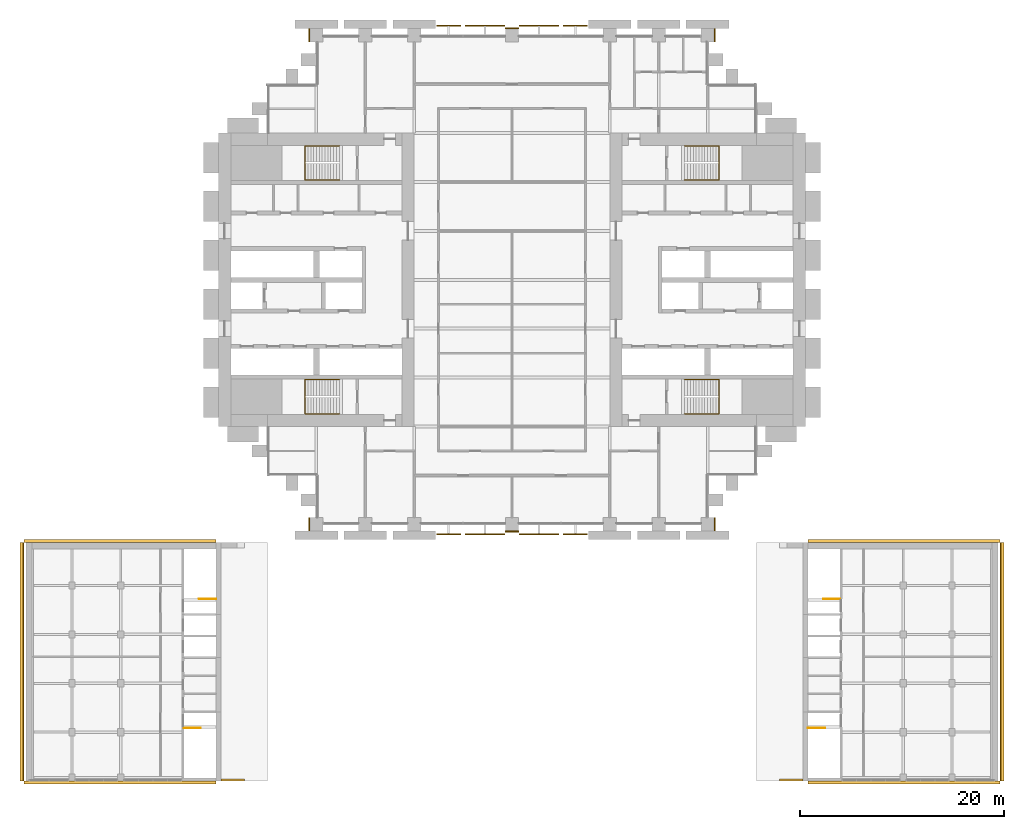
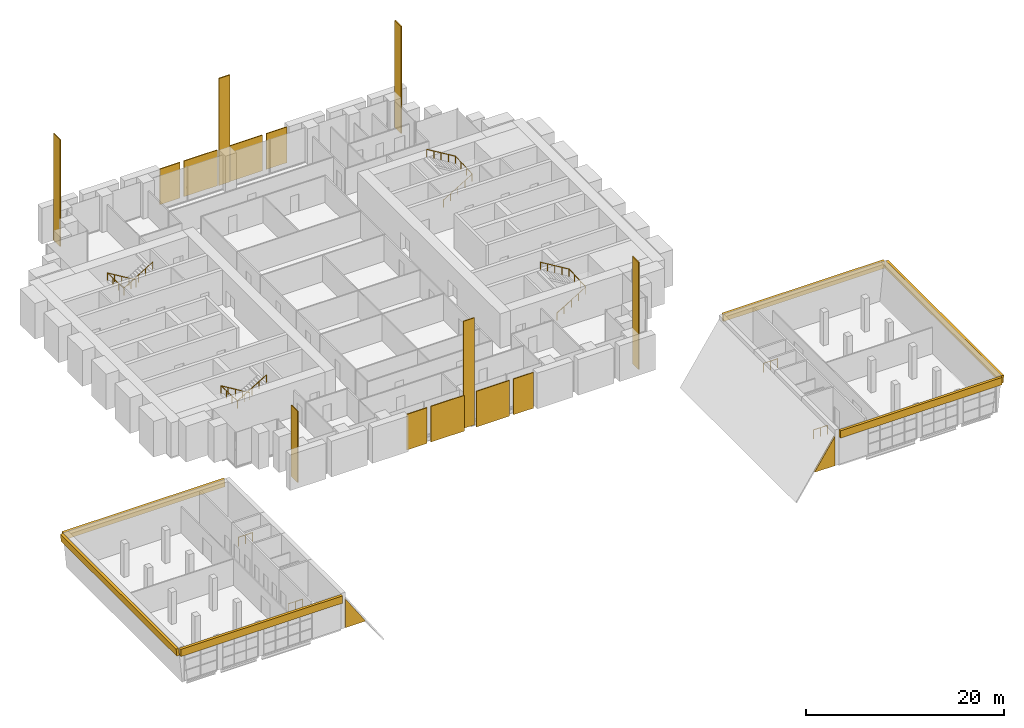
# One storey, part 22 of 22: 22 coverings, 8 railings.
"""IFC4 building model written with IfcOpenShell, lengths in metres."""

from ifc_helpers import new_model, si_unit, direction, frame, origin, origin_2d, place, context, subcontext, project, spatial, polyline, rectangle, circle, outline, extrude, material, layer, layer_set, type_object, element, save


model = new_model("IFC4")

# Units and contexts
model_context = context("Model", 3, precision=1e-05, world=origin(), true_north=direction((0.0, 1.0)))
body_context = subcontext(model_context, "Body", "Model", "MODEL_VIEW")
ifc_project = project(units=[si_unit("LENGTHUNIT", "METRE"), si_unit("AREAUNIT", "SQUARE_METRE"), si_unit("VOLUMEUNIT", "CUBIC_METRE"), si_unit("PLANEANGLEUNIT", "RADIAN"), si_unit("MASSUNIT", "GRAM", prefix="KILO")], contexts=[model_context])

# Site, building, storey
site_placement = place(None, origin())
site = spatial("IfcSite", under=ifc_project, at=site_placement, CompositionType="ELEMENT")
building_placement = place(site_placement, origin())
building = spatial("IfcBuilding", under=site, at=building_placement, Name="Baori Bourse Tower", CompositionType="ELEMENT")
storey_placement = place(building_placement, frame((0.0, 0.0, 25.800048828125)))
storey = spatial("IfcBuildingStorey", under=building, at=storey_placement, Name="L04", CompositionType="ELEMENT", Elevation=25.800048828125)

# Railings
ifc_material_1 = material(Name="Powder-coated steel balustrade", Category="steel")
railing_type_1 = type_object("IfcRailingType", Name="Core stair handrail", PredefinedType="HANDRAIL", material=ifc_material_1)
railing_1_placement = place(storey_placement, frame((11.85009765625, 14.199951171875, 0.169189453125)))
element("IfcRailing", 1, at=railing_1_placement, inside=storey, type_object=railing_type_1, Name="L04 ST1 stair handrail 1", PredefinedType="HANDRAIL", context=body_context, shape_type="SweptSolid", body=[
    extrude(circle(Radius=0.02392578125, at=origin_2d()), frame((0.0, 0.0, 0.8759765625), z_axis=(-0.855836976705, 0.0, 0.517245656632), x_axis=(0.0, -1.0, 0.0)), (0.0, 0.0, 1.0), 3.926025390625),
    extrude(circle(Radius=0.02392578125, at=origin_2d()), frame((-3.360107421875, 0.0, 2.90673828125), z_axis=(0.0, -0.998726980575, 0.050442227064), x_axis=(1.0, 0.0, 0.0)), (0.0, 0.0, 1.0), 3.35400390625),
    extrude(circle(Radius=0.02392578125, at=origin_2d()), frame((-3.360107421875, -3.349853515625, 3.07568359375), z_axis=(0.855836976705, 0.0, 0.517245656632), x_axis=(0.0, 1.0, 0.0)), (0.0, 0.0, 1.0), 3.926025390625),
    extrude(circle(Radius=0.02099609375, at=origin_2d()), origin(), (0.0, 0.0, 1.0), 0.851806640625),
    extrude(circle(Radius=0.02099609375, at=origin_2d()), frame((-0.840087890625, 0.0, 0.5078125)), (0.0, 0.0, 1.0), 0.851806640625),
    extrude(circle(Radius=0.02099609375, at=origin_2d()), frame((-1.68017578125, 0.0, 1.015380859375)), (0.0, 0.0, 1.0), 0.851806640625),
    extrude(circle(Radius=0.02099609375, at=origin_2d()), frame((-2.52001953125, 0.0, 1.52294921875)), (0.0, 0.0, 1.0), 0.851806640625),
    extrude(circle(Radius=0.02099609375, at=origin_2d()), frame((-3.360107421875, 0.0, 2.03076171875)), (0.0, 0.0, 1.0), 0.851806640625),
    extrude(circle(Radius=0.02099609375, at=origin_2d()), frame((-3.360107421875, -1.11669921875, 2.087158203125)), (0.0, 0.0, 1.0), 0.851806640625),
    extrude(circle(Radius=0.02099609375, at=origin_2d()), frame((-3.360107421875, -2.233154296875, 2.1435546875)), (0.0, 0.0, 1.0), 0.851806640625),
    extrude(circle(Radius=0.02099609375, at=origin_2d()), frame((-3.360107421875, -3.349853515625, 2.199951171875)), (0.0, 0.0, 1.0), 0.851806640625),
    extrude(circle(Radius=0.02099609375, at=origin_2d()), frame((-2.52001953125, -3.349853515625, 2.70751953125)), (0.0, 0.0, 1.0), 0.851806640625),
    extrude(circle(Radius=0.02099609375, at=origin_2d()), frame((-1.68017578125, -3.349853515625, 3.21533203125)), (0.0, 0.0, 1.0), 0.851806640625),
    extrude(circle(Radius=0.02099609375, at=origin_2d()), frame((-0.840087890625, -3.349853515625, 3.72314453125)), (0.0, 0.0, 1.0), 0.851806640625),
    extrude(circle(Radius=0.02099609375, at=origin_2d()), frame((0.0, -3.349853515625, 4.230712890625)), (0.0, 0.0, 1.0), 0.851806640625),
])
railing_2_placement = place(storey_placement, frame((11.85009765625, 37.14990234375, 0.169189453125)))
element("IfcRailing", 2, at=railing_2_placement, inside=storey, type_object=railing_type_1, Name="L04 ST2 stair handrail 1", PredefinedType="HANDRAIL", context=body_context, shape_type="SweptSolid", body=[
    extrude(circle(Radius=0.02392578125, at=origin_2d()), frame((0.0, 0.0, 0.8759765625), z_axis=(-0.855836976705, 0.0, 0.517245656632), x_axis=(0.0, -1.0, 0.0)), (0.0, 0.0, 1.0), 3.926025390625),
    extrude(circle(Radius=0.02392578125, at=origin_2d()), frame((-3.360107421875, 0.0, 2.90673828125), z_axis=(0.0, -0.998726980575, 0.050442227064), x_axis=(1.0, 0.0, 0.0)), (0.0, 0.0, 1.0), 3.35400390625),
    extrude(circle(Radius=0.02392578125, at=origin_2d()), frame((-3.360107421875, -3.349853515625, 3.07568359375), z_axis=(0.855836976705, 0.0, 0.517245656632), x_axis=(0.0, 1.0, 0.0)), (0.0, 0.0, 1.0), 3.926025390625),
    extrude(circle(Radius=0.02099609375, at=origin_2d()), origin(), (0.0, 0.0, 1.0), 0.851806640625),
    extrude(circle(Radius=0.02099609375, at=origin_2d()), frame((-0.840087890625, 0.0, 0.5078125)), (0.0, 0.0, 1.0), 0.851806640625),
    extrude(circle(Radius=0.02099609375, at=origin_2d()), frame((-1.68017578125, 0.0, 1.015380859375)), (0.0, 0.0, 1.0), 0.851806640625),
    extrude(circle(Radius=0.02099609375, at=origin_2d()), frame((-2.52001953125, 0.0, 1.52294921875)), (0.0, 0.0, 1.0), 0.851806640625),
    extrude(circle(Radius=0.02099609375, at=origin_2d()), frame((-3.360107421875, 0.0, 2.03076171875)), (0.0, 0.0, 1.0), 0.851806640625),
    extrude(circle(Radius=0.02099609375, at=origin_2d()), frame((-3.360107421875, -1.11669921875, 2.087158203125)), (0.0, 0.0, 1.0), 0.851806640625),
    extrude(circle(Radius=0.02099609375, at=origin_2d()), frame((-3.360107421875, -2.233154296875, 2.1435546875)), (0.0, 0.0, 1.0), 0.851806640625),
    extrude(circle(Radius=0.02099609375, at=origin_2d()), frame((-3.360107421875, -3.349853515625, 2.199951171875)), (0.0, 0.0, 1.0), 0.851806640625),
    extrude(circle(Radius=0.02099609375, at=origin_2d()), frame((-2.52001953125, -3.349853515625, 2.70751953125)), (0.0, 0.0, 1.0), 0.851806640625),
    extrude(circle(Radius=0.02099609375, at=origin_2d()), frame((-1.68017578125, -3.349853515625, 3.21533203125)), (0.0, 0.0, 1.0), 0.851806640625),
    extrude(circle(Radius=0.02099609375, at=origin_2d()), frame((-0.840087890625, -3.349853515625, 3.72314453125)), (0.0, 0.0, 1.0), 0.851806640625),
    extrude(circle(Radius=0.02099609375, at=origin_2d()), frame((0.0, -3.349853515625, 4.230712890625)), (0.0, 0.0, 1.0), 0.851806640625),
])
railing_3_placement = place(storey_placement, frame((45.75, 10.85009765625, 0.169189453125)))
element("IfcRailing", 3, at=railing_3_placement, inside=storey, type_object=railing_type_1, Name="L04 ST3 stair handrail 1", PredefinedType="HANDRAIL", context=body_context, shape_type="SweptSolid", body=[
    extrude(circle(Radius=0.02392578125, at=origin_2d()), frame((0.0, 0.0, 0.8759765625), z_axis=(0.855836976705, 0.0, 0.517245656632), x_axis=(0.0, 1.0, 0.0)), (0.0, 0.0, 1.0), 3.926025390625),
    extrude(circle(Radius=0.02392578125, at=origin_2d()), frame((3.360107421875, 0.0, 2.90673828125), z_axis=(0.0, 0.998726980575, 0.050442227064), x_axis=(-1.0, 0.0, 0.0)), (0.0, 0.0, 1.0), 3.35400390625),
    extrude(circle(Radius=0.02392578125, at=origin_2d()), frame((3.360107421875, 3.349853515625, 3.07568359375), z_axis=(-0.855836976705, 0.0, 0.517245656632), x_axis=(0.0, -1.0, 0.0)), (0.0, 0.0, 1.0), 3.926025390625),
    extrude(circle(Radius=0.02099609375, at=origin_2d()), origin(), (0.0, 0.0, 1.0), 0.851806640625),
    extrude(circle(Radius=0.02099609375, at=origin_2d()), frame((0.840087890625, 0.0, 0.5078125)), (0.0, 0.0, 1.0), 0.851806640625),
    extrude(circle(Radius=0.02099609375, at=origin_2d()), frame((1.68017578125, 0.0, 1.015380859375)), (0.0, 0.0, 1.0), 0.851806640625),
    extrude(circle(Radius=0.02099609375, at=origin_2d()), frame((2.52001953125, 0.0, 1.52294921875)), (0.0, 0.0, 1.0), 0.851806640625),
    extrude(circle(Radius=0.02099609375, at=origin_2d()), frame((3.360107421875, 0.0, 2.03076171875)), (0.0, 0.0, 1.0), 0.851806640625),
    extrude(circle(Radius=0.02099609375, at=origin_2d()), frame((3.360107421875, 1.11669921875, 2.087158203125)), (0.0, 0.0, 1.0), 0.851806640625),
    extrude(circle(Radius=0.02099609375, at=origin_2d()), frame((3.360107421875, 2.233154296875, 2.1435546875)), (0.0, 0.0, 1.0), 0.851806640625),
    extrude(circle(Radius=0.02099609375, at=origin_2d()), frame((3.360107421875, 3.349853515625, 2.199951171875)), (0.0, 0.0, 1.0), 0.851806640625),
    extrude(circle(Radius=0.02099609375, at=origin_2d()), frame((2.52001953125, 3.349853515625, 2.70751953125)), (0.0, 0.0, 1.0), 0.851806640625),
    extrude(circle(Radius=0.02099609375, at=origin_2d()), frame((1.68017578125, 3.349853515625, 3.21533203125)), (0.0, 0.0, 1.0), 0.851806640625),
    extrude(circle(Radius=0.02099609375, at=origin_2d()), frame((0.840087890625, 3.349853515625, 3.72314453125)), (0.0, 0.0, 1.0), 0.851806640625),
    extrude(circle(Radius=0.02099609375, at=origin_2d()), frame((0.0, 3.349853515625, 4.230712890625)), (0.0, 0.0, 1.0), 0.851806640625),
])
railing_4_placement = place(storey_placement, frame((45.75, 33.800048828125, 0.169189453125)))
element("IfcRailing", 4, at=railing_4_placement, inside=storey, type_object=railing_type_1, Name="L04 ST4 stair handrail 1", PredefinedType="HANDRAIL", context=body_context, shape_type="SweptSolid", body=[
    extrude(circle(Radius=0.02392578125, at=origin_2d()), frame((0.0, 0.0, 0.8759765625), z_axis=(0.855836976705, 0.0, 0.517245656632), x_axis=(0.0, 1.0, 0.0)), (0.0, 0.0, 1.0), 3.926025390625),
    extrude(circle(Radius=0.02392578125, at=origin_2d()), frame((3.360107421875, 0.0, 2.90673828125), z_axis=(0.0, 0.998726980575, 0.050442227064), x_axis=(-1.0, 0.0, 0.0)), (0.0, 0.0, 1.0), 3.35400390625),
    extrude(circle(Radius=0.02392578125, at=origin_2d()), frame((3.360107421875, 3.349853515625, 3.07568359375), z_axis=(-0.855836976705, 0.0, 0.517245656632), x_axis=(0.0, -1.0, 0.0)), (0.0, 0.0, 1.0), 3.926025390625),
    extrude(circle(Radius=0.02099609375, at=origin_2d()), origin(), (0.0, 0.0, 1.0), 0.851806640625),
    extrude(circle(Radius=0.02099609375, at=origin_2d()), frame((0.840087890625, 0.0, 0.5078125)), (0.0, 0.0, 1.0), 0.851806640625),
    extrude(circle(Radius=0.02099609375, at=origin_2d()), frame((1.68017578125, 0.0, 1.015380859375)), (0.0, 0.0, 1.0), 0.851806640625),
    extrude(circle(Radius=0.02099609375, at=origin_2d()), frame((2.52001953125, 0.0, 1.52294921875)), (0.0, 0.0, 1.0), 0.851806640625),
    extrude(circle(Radius=0.02099609375, at=origin_2d()), frame((3.360107421875, 0.0, 2.03076171875)), (0.0, 0.0, 1.0), 0.851806640625),
    extrude(circle(Radius=0.02099609375, at=origin_2d()), frame((3.360107421875, 1.11669921875, 2.087158203125)), (0.0, 0.0, 1.0), 0.851806640625),
    extrude(circle(Radius=0.02099609375, at=origin_2d()), frame((3.360107421875, 2.233154296875, 2.1435546875)), (0.0, 0.0, 1.0), 0.851806640625),
    extrude(circle(Radius=0.02099609375, at=origin_2d()), frame((3.360107421875, 3.349853515625, 2.199951171875)), (0.0, 0.0, 1.0), 0.851806640625),
    extrude(circle(Radius=0.02099609375, at=origin_2d()), frame((2.52001953125, 3.349853515625, 2.70751953125)), (0.0, 0.0, 1.0), 0.851806640625),
    extrude(circle(Radius=0.02099609375, at=origin_2d()), frame((1.68017578125, 3.349853515625, 3.21533203125)), (0.0, 0.0, 1.0), 0.851806640625),
    extrude(circle(Radius=0.02099609375, at=origin_2d()), frame((0.840087890625, 3.349853515625, 3.72314453125)), (0.0, 0.0, 1.0), 0.851806640625),
    extrude(circle(Radius=0.02099609375, at=origin_2d()), frame((0.0, 3.349853515625, 4.230712890625)), (0.0, 0.0, 1.0), 0.851806640625),
])

# Coverings
ifc_material_2 = material(Name="Pale anodised aluminium", Category="aluminium")
ifc_layer_1 = layer(ifc_material_2, 0.199951171875)
ifc_layer_set_1 = layer_set([ifc_layer_1], Name="Fascia metal band 200")
covering_type_1 = type_object("IfcCoveringType", Name="Fascia metal band 200", PredefinedType="CLADDING", material=ifc_layer_set_1)
covering_1_placement = place(storey_placement, frame((0.25, -25.10009765625, 0.0), z_axis=(0.0, 0.0, 1.0), x_axis=(1.0, 0.0, 0.0)))
element("IfcCovering", 5, at=covering_1_placement, inside=storey, type_object=covering_type_1, Name="wing/L04/fascia/001", PredefinedType="CLADDING", context=body_context, shape_type="SweptSolid", body=[
    extrude(outline(polyline([(0.0, 0.0), (2.31103515625, 0.0), (2.31103515625, 0.099853515625), (0.0, 3.578369140625), (0.0, 0.0)])), frame((0.0, 0.10009765625, 0.0), z_axis=(0.0, -1.0, 0.0), x_axis=(1.0, 0.0, 0.0)), (0.0, 0.0, 1.0), 0.199951171875),
])
covering_2_placement = place(storey_placement, frame((55.0390625, -25.10009765625, 0.0), z_axis=(0.0, 0.0, 1.0), x_axis=(1.0, 0.0, 0.0)))
element("IfcCovering", 6, at=covering_2_placement, inside=storey, type_object=covering_type_1, Name="wing/L04/fascia/002", PredefinedType="CLADDING", context=body_context, shape_type="SweptSolid", body=[
    extrude(outline(polyline([(0.0, 0.0), (2.31103515625, 0.0), (2.31103515625, 3.578369140625), (0.0, 0.099853515625), (0.0, 0.0)])), frame((0.0, 0.10009765625, 0.0), z_axis=(0.0, -1.0, 0.0), x_axis=(1.0, 0.0, 0.0)), (0.0, 0.0, 1.0), 0.199951171875),
])
ifc_material_3 = material(Name="Pale anodised aluminium", Category="aluminium")
ifc_layer_2 = layer(ifc_material_3, 0.10009765625)
ifc_layer_set_2 = layer_set([ifc_layer_2], Name="OS3 Outer skin screen panel")
covering_type_2 = type_object("IfcCoveringType", Name="OS3 Outer skin screen panel", PredefinedType="CLADDING", material=ifc_layer_set_2)
covering_3_placement = place(storey_placement, frame((0.0, 0.0, -0.16015625)))
element("IfcCovering", 7, at=covering_3_placement, inside=storey, type_object=covering_type_2, Name="Outer skin screen L04 1", PredefinedType="CLADDING", context=body_context, shape_type="SweptSolid", body=[
    extrude(outline(polyline([(33.824951171875, 48.89990234375), (36.199951171875, 48.89990234375), (36.199951171875, 49.0), (33.824951171875, 49.0), (33.824951171875, 48.89990234375)])), origin(), (0.0, 0.0, 1.0), 4.400146484375),
])
covering_4_placement = place(storey_placement, frame((0.0, 0.0, -0.16015625)))
element("IfcCovering", 8, at=covering_4_placement, inside=storey, type_object=covering_type_2, Name="Outer skin screen L04 2", PredefinedType="CLADDING", context=body_context, shape_type="SweptSolid", body=[
    extrude(outline(polyline([(29.5, 48.89990234375), (33.375, 48.89990234375), (33.375, 49.0), (29.5, 49.0), (29.5, 48.89990234375)])), origin(), (0.0, 0.0, 1.0), 4.400146484375),
])
covering_5_placement = place(storey_placement, frame((0.0, 0.0, -0.16015625)))
element("IfcCovering", 9, at=covering_5_placement, inside=storey, type_object=covering_type_2, Name="Outer skin screen L04 3", PredefinedType="CLADDING", context=body_context, shape_type="SweptSolid", body=[
    extrude(outline(polyline([(24.22509765625, 48.89990234375), (28.10009765625, 48.89990234375), (28.10009765625, 49.0), (24.22509765625, 49.0), (24.22509765625, 48.89990234375)])), origin(), (0.0, 0.0, 1.0), 4.400146484375),
])
covering_6_placement = place(storey_placement, frame((0.0, 0.0, -0.16015625)))
element("IfcCovering", 10, at=covering_6_placement, inside=storey, type_object=covering_type_2, Name="Outer skin screen L04 4", PredefinedType="CLADDING", context=body_context, shape_type="SweptSolid", body=[
    extrude(outline(polyline([(21.39990234375, 48.89990234375), (23.77490234375, 48.89990234375), (23.77490234375, 49.0), (21.39990234375, 49.0), (21.39990234375, 48.89990234375)])), origin(), (0.0, 0.0, 1.0), 4.400146484375),
])
covering_7_placement = place(storey_placement, frame((0.0, 0.0, -0.16015625)))
element("IfcCovering", 11, at=covering_7_placement, inside=storey, type_object=covering_type_2, Name="Outer skin screen L04 5", PredefinedType="CLADDING", context=body_context, shape_type="SweptSolid", body=[
    extrude(outline(polyline([(23.77490234375, -0.89990234375), (21.39990234375, -0.89990234375), (21.39990234375, -1.0), (23.77490234375, -1.0), (23.77490234375, -0.89990234375)])), origin(), (0.0, 0.0, 1.0), 4.400146484375),
])
covering_8_placement = place(storey_placement, frame((0.0, 0.0, -0.16015625)))
element("IfcCovering", 12, at=covering_8_placement, inside=storey, type_object=covering_type_2, Name="Outer skin screen L04 6", PredefinedType="CLADDING", context=body_context, shape_type="SweptSolid", body=[
    extrude(outline(polyline([(28.10009765625, -0.89990234375), (24.22509765625, -0.89990234375), (24.22509765625, -1.0), (28.10009765625, -1.0), (28.10009765625, -0.89990234375)])), origin(), (0.0, 0.0, 1.0), 4.400146484375),
])
covering_9_placement = place(storey_placement, frame((0.0, 0.0, -0.16015625)))
element("IfcCovering", 13, at=covering_9_placement, inside=storey, type_object=covering_type_2, Name="Outer skin screen L04 7", PredefinedType="CLADDING", context=body_context, shape_type="SweptSolid", body=[
    extrude(outline(polyline([(33.375, -0.89990234375), (29.5, -0.89990234375), (29.5, -1.0), (33.375, -1.0), (33.375, -0.89990234375)])), origin(), (0.0, 0.0, 1.0), 4.400146484375),
])
covering_10_placement = place(storey_placement, frame((0.0, 0.0, -0.16015625)))
element("IfcCovering", 14, at=covering_10_placement, inside=storey, type_object=covering_type_2, Name="Outer skin screen L04 8", PredefinedType="CLADDING", context=body_context, shape_type="SweptSolid", body=[
    extrude(outline(polyline([(36.199951171875, -0.89990234375), (33.824951171875, -0.89990234375), (33.824951171875, -1.0), (36.199951171875, -1.0), (36.199951171875, -0.89990234375)])), origin(), (0.0, 0.0, 1.0), 4.400146484375),
])
ifc_material_4 = material(Name="Face brick", Category="masonry")
ifc_layer_3 = layer(ifc_material_4, 0.110107421875)
ifc_layer_set_3 = layer_set([ifc_layer_3], Name="PC1 Brick pier facing")
covering_type_3 = type_object("IfcCoveringType", Name="PC1 Brick pier facing", PredefinedType="CLADDING", material=ifc_layer_set_3)
covering_11_placement = place(storey_placement, frame((8.89501953125, 0.0, 0.0), z_axis=(0.0, 0.0, 1.0), x_axis=(1.0, 0.0, 0.0)))
element("IfcCovering", 15, at=covering_11_placement, inside=storey, type_object=covering_type_3, Name="Brick pier facing L04 1", PredefinedType="CLADDING", context=body_context, shape_type="SweptSolid", body=[
    extrude(rectangle(XDim=0.110107421875, YDim=1.300048828125, at=origin_2d()), origin(), (0.0, 0.0, 1.0), 8.800048828125),
])
covering_12_placement = place(storey_placement, frame((28.800048828125, -0.705078125, 0.0), z_axis=(0.0, 0.0, 1.0), x_axis=(1.0, 0.0, 0.0)))
element("IfcCovering", 16, at=covering_12_placement, inside=storey, type_object=covering_type_3, Name="Brick pier facing L04 2", PredefinedType="CLADDING", context=body_context, shape_type="SweptSolid", body=[
    extrude(rectangle(XDim=1.300048828125, YDim=0.110107421875, at=origin_2d()), origin(), (0.0, 0.0, 1.0), 13.199951171875),
])
for number, where, z_axis, x_axis, name in (
    (17, (48.705078125, 0.0, 0.0), (0.0, 0.0, 1.0), (1.0, 0.0, 0.0), "Brick pier facing L04 3"),
    (18, (8.89501953125, 48.0, 0.0), (0.0, 0.0, 1.0), (1.0, 0.0, 0.0), "Brick pier facing L04 4"),
):
    element("IfcCovering", number, at=place(storey_placement, frame(where, z_axis=z_axis, x_axis=x_axis)), inside=storey, type_object=covering_type_3, Name=name, PredefinedType="CLADDING", context=body_context, shape_type="SweptSolid", body=[
        extrude(rectangle(XDim=0.110107421875, YDim=1.300048828125, at=origin_2d()), origin(), (0.0, 0.0, 1.0), 13.199951171875),
    ])
covering_13_placement = place(storey_placement, frame((28.800048828125, 48.705078125, 0.0), z_axis=(0.0, 0.0, 1.0), x_axis=(1.0, 0.0, 0.0)))
element("IfcCovering", 19, at=covering_13_placement, inside=storey, type_object=covering_type_3, Name="Brick pier facing L04 5", PredefinedType="CLADDING", context=body_context, shape_type="SweptSolid", body=[
    extrude(rectangle(XDim=1.300048828125, YDim=0.110107421875, at=origin_2d()), origin(), (0.0, 0.0, 1.0), 13.199951171875),
])
covering_14_placement = place(storey_placement, frame((48.705078125, 48.0, 0.0), z_axis=(0.0, 0.0, 1.0), x_axis=(1.0, 0.0, 0.0)))
element("IfcCovering", 20, at=covering_14_placement, inside=storey, type_object=covering_type_3, Name="Brick pier facing L04 6", PredefinedType="CLADDING", context=body_context, shape_type="SweptSolid", body=[
    extrude(rectangle(XDim=0.110107421875, YDim=1.300048828125, at=origin_2d()), origin(), (0.0, 0.0, 1.0), 13.199951171875),
])
ifc_material_5 = material(Name="Pale anodised aluminium", Category="aluminium")
ifc_layer_4 = layer(ifc_material_5, 0.300048828125)
ifc_layer_set_4 = layer_set([ifc_layer_4], Name="Pale metal band 900x300")
covering_type_4 = type_object("IfcCoveringType", Name="Pale metal band 900x300", PredefinedType="CLADDING", material=ifc_layer_set_4)
covering_15_placement = place(storey_placement, frame((0.0, 0.0, 3.39990234375)))
element("IfcCovering", 21, at=covering_15_placement, inside=storey, type_object=covering_type_4, Name="BAND", PredefinedType="CLADDING", context=body_context, shape_type="SweptSolid", body=[
    extrude(outline(polyline([(-19.103759765625, -25.5), (-0.25, -25.5), (-0.25, -25.199951171875), (-19.103759765625, -25.199951171875), (-19.103759765625, -25.5)])), origin(), (0.0, 0.0, 1.0), 0.900146484375),
])
covering_16_placement = place(storey_placement, frame((0.0, 0.0, 3.39990234375)))
element("IfcCovering", 22, at=covering_16_placement, inside=storey, type_object=covering_type_4, Name="BAND", PredefinedType="CLADDING", context=body_context, shape_type="SweptSolid", body=[
    extrude(outline(polyline([(-19.103759765625, -1.800048828125), (-0.25, -1.800048828125), (-0.25, -1.5), (-19.103759765625, -1.5), (-19.103759765625, -1.800048828125)])), origin(), (0.0, 0.0, 1.0), 0.900146484375),
])
covering_17_placement = place(storey_placement, frame((-19.103759765625, -25.199951171875, 3.39990234375), z_axis=(0.995396654785, 0.0, 0.095841012327), x_axis=(0.0, 1.0, 0.0)))
element("IfcCovering", 23, at=covering_17_placement, inside=storey, type_object=covering_type_4, Name="BAND", PredefinedType="CLADDING", context=body_context, shape_type="SweptSolid", body=[
    extrude(outline(polyline([(0.0, 0.0), (23.39990234375, 0.0), (23.39990234375, 0.9043093324136883), (0.0, 0.9043093324136883), (0.0, 0.0)])), origin(), (0.0, 0.0, -1.0), 0.300048828125),
])
covering_18_placement = place(storey_placement, frame((0.0, 0.0, 3.39990234375)))
element("IfcCovering", 24, at=covering_18_placement, inside=storey, type_object=covering_type_4, Name="BAND", PredefinedType="CLADDING", context=body_context, shape_type="SweptSolid", body=[
    extrude(outline(polyline([(76.70361328125, -25.199951171875), (57.85009765625, -25.199951171875), (57.85009765625, -25.5), (76.70361328125, -25.5), (76.70361328125, -25.199951171875)])), origin(), (0.0, 0.0, 1.0), 0.900146484375),
])
covering_19_placement = place(storey_placement, frame((0.0, 0.0, 3.39990234375)))
element("IfcCovering", 25, at=covering_19_placement, inside=storey, type_object=covering_type_4, Name="BAND", PredefinedType="CLADDING", context=body_context, shape_type="SweptSolid", body=[
    extrude(outline(polyline([(76.70361328125, -1.5), (57.85009765625, -1.5), (57.85009765625, -1.800048828125), (76.70361328125, -1.800048828125), (76.70361328125, -1.5)])), origin(), (0.0, 0.0, 1.0), 0.900146484375),
])
covering_20_placement = place(storey_placement, frame((76.70361328125, -25.199951171875, 3.39990234375), z_axis=(-0.995396654785, 0.0, 0.095841012327), x_axis=(0.0, 1.0, 0.0)))
element("IfcCovering", 26, at=covering_20_placement, inside=storey, type_object=covering_type_4, Name="BAND", PredefinedType="CLADDING", context=body_context, shape_type="SweptSolid", body=[
    extrude(outline(polyline([(0.0, 0.0), (23.39990234375, 0.0), (23.39990234375, -0.9043093324136883), (0.0, -0.9043093324136883), (0.0, 0.0)])), origin(), (0.0, 0.0, -1.0), 0.300048828125),
])

# Railings
ifc_material_6 = material(Name="Stainless steel AISI 316", Category="steel")
railing_type_2 = type_object("IfcRailingType", Name="Wing guard 1100", PredefinedType="GUARDRAIL", material=ifc_material_6)
railing_5_placement = place(storey_placement, frame((-0.25, -7.31005859375, 0.0)))
element("IfcRailing", 27, at=railing_5_placement, inside=storey, type_object=railing_type_2, Name="L04 W-STA top well guard 1", PredefinedType="GUARDRAIL", context=body_context, shape_type="SweptSolid", body=[
    extrude(circle(Radius=0.02392578125, at=origin_2d()), frame((0.0, 0.0, 1.076171875), z_axis=(-1.0, 0.0, 0.0), x_axis=(0.0, -1.0, 0.0)), (0.0, 0.0, 1.0), 1.64990234375),
    extrude(circle(Radius=0.02099609375, at=origin_2d()), origin(), (0.0, 0.0, 1.0), 1.052001953125),
    extrude(circle(Radius=0.02099609375, at=origin_2d()), frame((-0.824951171875, 0.0, 0.0)), (0.0, 0.0, 1.0), 1.052001953125),
    extrude(circle(Radius=0.02099609375, at=origin_2d()), frame((-1.64990234375, 0.0, 0.0)), (0.0, 0.0, 1.0), 1.052001953125),
])
railing_6_placement = place(storey_placement, frame((-3.39990234375, -19.989990234375, 0.0)))
element("IfcRailing", 28, at=railing_6_placement, inside=storey, type_object=railing_type_2, Name="L04 W-STB top well guard 1", PredefinedType="GUARDRAIL", context=body_context, shape_type="SweptSolid", body=[
    extrude(circle(Radius=0.02392578125, at=origin_2d()), frame((0.0, 0.0, 1.076171875), z_axis=(1.0, 0.0, 0.0), x_axis=(0.0, 1.0, 0.0)), (0.0, 0.0, 1.0), 1.64990234375),
    extrude(circle(Radius=0.02099609375, at=origin_2d()), origin(), (0.0, 0.0, 1.0), 1.052001953125),
    extrude(circle(Radius=0.02099609375, at=origin_2d()), frame((0.824951171875, 0.0, 0.0)), (0.0, 0.0, 1.0), 1.052001953125),
    extrude(circle(Radius=0.02099609375, at=origin_2d()), frame((1.64990234375, 0.0, 0.0)), (0.0, 0.0, 1.0), 1.052001953125),
])
railing_7_placement = place(storey_placement, frame((61.0, -7.31005859375, 0.0)))
element("IfcRailing", 29, at=railing_7_placement, inside=storey, type_object=railing_type_2, Name="L04 E-STA top well guard 1", PredefinedType="GUARDRAIL", context=body_context, shape_type="SweptSolid", body=[
    extrude(circle(Radius=0.02392578125, at=origin_2d()), frame((0.0, 0.0, 1.076171875), z_axis=(-1.0, 0.0, 0.0), x_axis=(0.0, -1.0, 0.0)), (0.0, 0.0, 1.0), 1.64990234375),
    extrude(circle(Radius=0.02099609375, at=origin_2d()), origin(), (0.0, 0.0, 1.0), 1.052001953125),
    extrude(circle(Radius=0.02099609375, at=origin_2d()), frame((-0.824951171875, 0.0, 0.0)), (0.0, 0.0, 1.0), 1.052001953125),
    extrude(circle(Radius=0.02099609375, at=origin_2d()), frame((-1.64990234375, 0.0, 0.0)), (0.0, 0.0, 1.0), 1.052001953125),
])
railing_8_placement = place(storey_placement, frame((57.85009765625, -19.989990234375, 0.0)))
element("IfcRailing", 30, at=railing_8_placement, inside=storey, type_object=railing_type_2, Name="L04 E-STB top well guard 1", PredefinedType="GUARDRAIL", context=body_context, shape_type="SweptSolid", body=[
    extrude(circle(Radius=0.02392578125, at=origin_2d()), frame((0.0, 0.0, 1.076171875), z_axis=(1.0, 0.0, 0.0), x_axis=(0.0, 1.0, 0.0)), (0.0, 0.0, 1.0), 1.64990234375),
    extrude(circle(Radius=0.02099609375, at=origin_2d()), origin(), (0.0, 0.0, 1.0), 1.052001953125),
    extrude(circle(Radius=0.02099609375, at=origin_2d()), frame((0.824951171875, 0.0, 0.0)), (0.0, 0.0, 1.0), 1.052001953125),
    extrude(circle(Radius=0.02099609375, at=origin_2d()), frame((1.64990234375, 0.0, 0.0)), (0.0, 0.0, 1.0), 1.052001953125),
])

save(model, "model.ifc")
